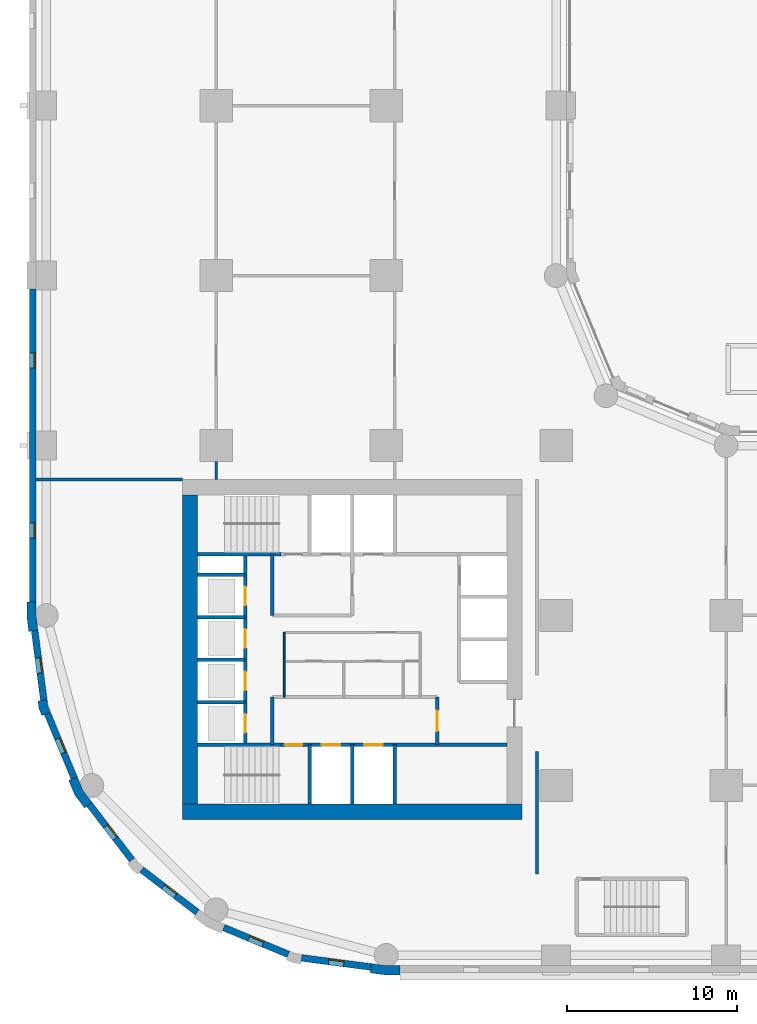
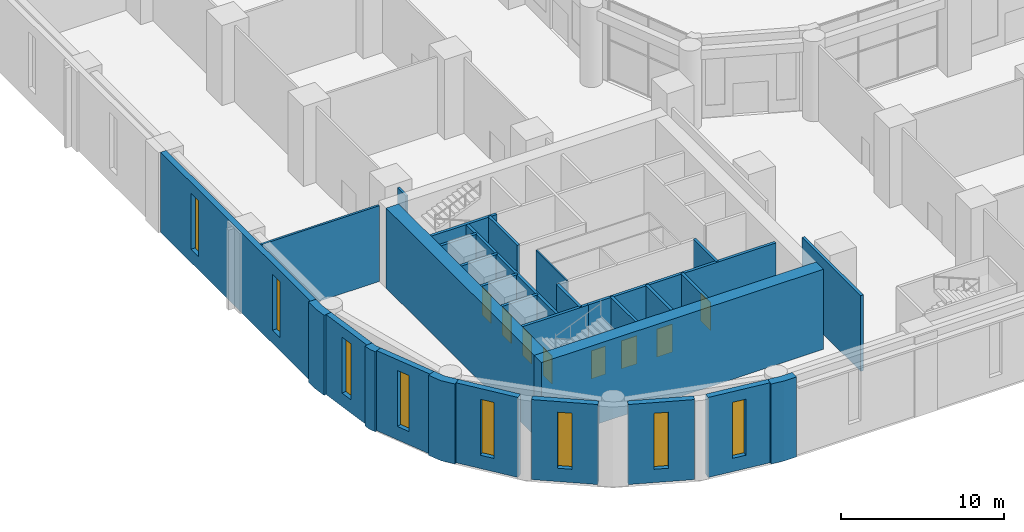
# One storey, part 13 of 28: 31 walls, 8 doors, 8 windows, 16 openings.
"""IFC4 building model written with IfcOpenShell, lengths in metres."""

import ifcopenshell
import ifcopenshell.guid

model = None  # the IFC model being written
_history = None  # IfcOwnerHistory: only IFC2X3 demands one
_inside = {}  # id of a spatial element -> (the spatial element, [elements in it])
_under = {}  # id of a project, library or spatial element -> (it, [spatial elements below it])
_declared = {}  # id of a project -> (the project, [libraries it declares])
_typed = {}  # id of a type object -> (the type object, [elements of that type])
_made_of = {}  # id of a material, layer set ... -> (it, [elements and type objects made of it])


def new_model(schema):
    """Start an empty IFC model of exactly this schema.

    Asked for "IFC4X3", IfcOpenShell would pick the latest addendum, in which some entities
    have other attributes; the version numbers below select the first issue.
    IFC2X3 requires an IfcOwnerHistory on every rooted entity: one is made here for all.
    """
    global model, _history
    if schema == "IFC4X3":
        model = ifcopenshell.file(schema_version=(4, 3, 0, 0))
    else:
        model = ifcopenshell.file(schema=schema)
    _inside.clear()
    _under.clear()
    _declared.clear()
    _typed.clear()
    _made_of.clear()
    _history = None
    if model.schema == "IFC2X3":
        org = make("IfcOrganization", Name="unknown")
        user = make(
            "IfcPersonAndOrganization",
            ThePerson=make("IfcPerson", FamilyName="unknown"),
            TheOrganization=org,
        )
        app = make(
            "IfcApplication",
            ApplicationDeveloper=org,
            Version="unknown",
            ApplicationFullName="unknown",
            ApplicationIdentifier="unknown",
        )
        _history = make(
            "IfcOwnerHistory",
            OwningUser=user,
            OwningApplication=app,
            ChangeAction="ADDED",
            CreationDate=0,
        )
    return model


def make(cls, **values):
    """One entity of the class cls with the attributes given. An attribute that is None is left unset."""
    return model.create_entity(
        cls, **{name: value for name, value in values.items() if value is not None}
    )


def rooted(cls, **values):
    """An entity with a GlobalId (a new one), such as an element, a storey or a relation."""
    return make(cls, GlobalId=ifcopenshell.guid.new(), OwnerHistory=_history, **values)


def si_unit(unit_type, name, prefix=None):
    """IfcSIUnit, for example si_unit("LENGTHUNIT", "METRE", prefix="MILLI")."""
    return make("IfcSIUnit", UnitType=unit_type, Prefix=prefix, Name=name)


def assignment(units):
    """IfcUnitAssignment: the units of a project."""
    return None if units is None else make("IfcUnitAssignment", Units=units)


def point(xyz):
    """IfcCartesianPoint."""
    return None if xyz is None else make("IfcCartesianPoint", Coordinates=xyz)


def direction(xyz):
    """IfcDirection."""
    return None if xyz is None else make("IfcDirection", DirectionRatios=xyz)


def frame(location, z_axis=None, x_axis=None):
    """IfcAxis2Placement3D, a coordinate frame: its origin and axes. An axis left out is left unset."""
    return make(
        "IfcAxis2Placement3D",
        Location=point(location),
        Axis=direction(z_axis),
        RefDirection=direction(x_axis),
    )


def frame_2d(location, x_axis=None):
    """IfcAxis2Placement2D, a coordinate frame in the plane: its origin and x axis."""
    return make(
        "IfcAxis2Placement2D", Location=point(location), RefDirection=direction(x_axis)
    )


def origin():
    """The frame at (0, 0, 0) with its axes left unset."""
    return frame((0.0, 0.0, 0.0))


def place(relative_to, where):
    """IfcLocalPlacement: puts the frame where relative to a parent placement (None: the world)."""
    return make(
        "IfcLocalPlacement", PlacementRelTo=relative_to, RelativePlacement=where
    )


def context(
    kind, dimensions, precision=None, world=None, true_north=None, identifier=None
):
    """IfcGeometricRepresentationContext, for example the 3D "Model" context."""
    return make(
        "IfcGeometricRepresentationContext",
        ContextIdentifier=identifier,
        ContextType=kind,
        CoordinateSpaceDimension=dimensions,
        Precision=precision,
        WorldCoordinateSystem=world,
        TrueNorth=true_north,
    )


def subcontext(parent, identifier, kind, view, scale=None):
    """IfcGeometricRepresentationSubContext, for example "Body" below "Model"."""
    return make(
        "IfcGeometricRepresentationSubContext",
        ContextIdentifier=identifier,
        ContextType=kind,
        ParentContext=parent,
        TargetScale=scale,
        TargetView=view,
    )


def project(units=None, contexts=None):
    """IfcProject with its units and contexts."""
    return rooted(
        "IfcProject",
        Name="project",
        RepresentationContexts=contexts,
        UnitsInContext=assignment(units),
    )


def spatial(cls, under=None, at=None, **own):
    """A site, building, storey or space (cls), placed at a placement, below another one or the project."""
    s = rooted(cls, ObjectPlacement=at, **own)
    if under is not None:
        _under.setdefault(under.id(), (under, []))[1].append(s)
    return s


def polyline(points):
    """IfcPolyline through the points."""
    return make("IfcPolyline", Points=[point(p) for p in points])


def profile(cls, at=None, kind="AREA", **sizes):
    """A parametric profile (cls). Its sizes go by their IFC names, for example OverallWidth=200.0."""
    return make(cls, ProfileType=kind, Position=at, **sizes)


def rectangle(**sizes):
    """IfcRectangleProfileDef."""
    return profile("IfcRectangleProfileDef", **sizes)


def outline(outer, holes=None, kind="AREA"):
    """IfcArbitraryClosedProfileDef: a profile drawn as a closed curve; with holes, ...WithVoids."""
    if holes is None:
        return make("IfcArbitraryClosedProfileDef", ProfileType=kind, OuterCurve=outer)
    return make(
        "IfcArbitraryProfileDefWithVoids",
        ProfileType=kind,
        OuterCurve=outer,
        InnerCurves=holes,
    )


def extrude(swept, where, along, depth):
    """IfcExtrudedAreaSolid: the profile swept, set in the frame where, extruded along a direction by depth."""
    return make(
        "IfcExtrudedAreaSolid",
        SweptArea=swept,
        Position=where,
        ExtrudedDirection=direction(along),
        Depth=depth,
    )


def shape(context_of_items, identifier, shape_type, items):
    """IfcShapeRepresentation: the items that make up one representation, for example the "Body"."""
    return make(
        "IfcShapeRepresentation",
        ContextOfItems=context_of_items,
        RepresentationIdentifier=identifier,
        RepresentationType=shape_type,
        Items=items,
    )


def material(Name=None, Category=None):
    """IfcMaterial."""
    return make("IfcMaterial", Name=Name, Category=Category)


def layer(
    of_material, thickness, ventilated=None, Name=None, Category=None, Priority=None
):
    """IfcMaterialLayer: one layer of a wall or slab, of a material (None: an air gap)."""
    return make(
        "IfcMaterialLayer",
        Material=of_material,
        LayerThickness=thickness,
        IsVentilated=ventilated,
        Name=Name,
        Category=Category,
        Priority=Priority,
    )


def layer_set(layers, Name=None):
    """IfcMaterialLayerSet."""
    return make("IfcMaterialLayerSet", MaterialLayers=layers, LayerSetName=Name)


def made_of(thing, what):
    """Note that an element or type object is made of a material, layer set ...; save() writes the relation."""
    if what is not None:
        _made_of.setdefault(what.id(), (what, []))[1].append(thing)
    return thing


def type_object(cls, material=None, **own):
    """A type object (cls), such as IfcWallType, which elements share."""
    return made_of(rooted(cls, **own), material)


def element(
    cls,
    number,
    at=None,
    inside=None,
    cuts=None,
    type_object=None,
    material=None,
    context=None,
    identifier="Body",
    shape_type=None,
    held_by="IfcProductDefinitionShape",
    body=None,
    shapes=None,
    **own,
):
    """One element of the class cls, such as IfcWall. Its Tag is "e" and its number.

    at: its placement. inside: the storey or other place that contains it. cuts: it is an
    opening in that element (IfcRelVoidsElement). A single representation is given by context,
    identifier, shape_type and body (its items); several are given by shapes. held_by: the class
    of the entity that holds the representations. save() writes the other relations.
    """
    e = rooted(cls, Tag="e%d" % number, ObjectPlacement=at, **own)
    if body is not None:
        shapes = [shape(context, identifier, shape_type, body)]
    if shapes is not None:
        e.Representation = make(held_by, Representations=shapes)
    if inside is not None:
        _inside.setdefault(inside.id(), (inside, []))[1].append(e)
    if cuts is not None:
        rooted(
            "IfcRelVoidsElement", RelatingBuildingElement=cuts, RelatedOpeningElement=e
        )
    if type_object is not None:
        _typed.setdefault(type_object.id(), (type_object, []))[1].append(e)
    return made_of(e, material)


def fill(opening, filler):
    """IfcRelFillsElement: the door or window that sits in an opening."""
    return rooted(
        "IfcRelFillsElement",
        RelatingOpeningElement=opening,
        RelatedBuildingElement=filler,
    )


def aggregate(whole, parts):
    """IfcRelAggregates: a whole, such as a stair, and the parts it consists of."""
    return rooted("IfcRelAggregates", RelatingObject=whole, RelatedObjects=parts)


def save(model, path):
    """Write the relations noted so far, then the file.

    IfcRelAggregates (storeys below a building ...), IfcRelContainedInSpatialStructure (elements
    in a storey), IfcRelDefinesByType, IfcRelAssociatesMaterial and IfcRelDeclares: one each for
    every whole, place, type object, material and project.
    """
    for whole, parts in _under.values():
        aggregate(whole, parts)
    for where, things in _inside.values():
        rooted(
            "IfcRelContainedInSpatialStructure",
            RelatedElements=things,
            RelatingStructure=where,
        )
    for kind, things in _typed.values():
        rooted("IfcRelDefinesByType", RelatedObjects=things, RelatingType=kind)
    for what, things in _made_of.values():
        rooted("IfcRelAssociatesMaterial", RelatedObjects=things, RelatingMaterial=what)
    for by, libraries in _declared.values():
        rooted("IfcRelDeclares", RelatingContext=by, RelatedDefinitions=libraries)
    model.write(path)


model = new_model("IFC4")

# Units and contexts
model_context = context("Model", 3, precision=1e-05, world=origin(), true_north=direction((0.0, 1.0)))
body_context = subcontext(model_context, "Body", "Model", "MODEL_VIEW")
ifc_project = project(units=[si_unit("LENGTHUNIT", "METRE"), si_unit("AREAUNIT", "SQUARE_METRE"), si_unit("VOLUMEUNIT", "CUBIC_METRE"), si_unit("PLANEANGLEUNIT", "RADIAN"), si_unit("MASSUNIT", "GRAM", prefix="KILO")], contexts=[model_context])

# Site, building, storey
site_placement = place(None, origin())
site = spatial("IfcSite", under=ifc_project, at=site_placement, CompositionType="ELEMENT")
building_placement = place(site_placement, origin())
building = spatial("IfcBuilding", under=site, at=building_placement, Name="Qaws Garden Tower", CompositionType="ELEMENT")
storey_placement = place(building_placement, frame((0.0, 0.0, 6.0)))
storey = spatial("IfcBuildingStorey", under=building, at=storey_placement, Name="L01", CompositionType="ELEMENT", Elevation=6.0)

# Walls
ifc_material_1 = material(Name="Plasterboard")
ifc_layer_1 = layer(ifc_material_1, 0.10009765625)
ifc_layer_set_1 = layer_set([ifc_layer_1], Name="Plasterboard")
wall_type_1 = type_object("IfcWallType", Name="Core partition 100", PredefinedType="PARTITIONING", material=ifc_layer_set_1)
wall_1_placement = place(storey_placement, frame((14.0, 15.199951171875, 0.0), z_axis=(0.0, 0.0, 1.0), x_axis=(0.0, 1.0, 0.0)))
element("IfcWall", 1, at=wall_1_placement, inside=storey, type_object=wall_type_1, Name="Core partition", PredefinedType="PARTITIONING", context=body_context, shape_type="SweptSolid", body=[
    extrude(rectangle(XDim=3.800048828125, YDim=0.10009765625, at=frame_2d((1.89990234375, 0.0))), origin(), (0.0, 0.0, 1.0), 5.679931640625),
])
ifc_material_2 = material(Name="Concrete C80", Category="concrete")
ifc_layer_2 = layer(ifc_material_2, 0.199951171875)
ifc_layer_set_2 = layer_set([ifc_layer_2], Name="Concrete C80")
wall_type_2 = type_object("IfcWallType", Name="Core shaft wall 200 C80", PredefinedType="SHEAR", material=ifc_layer_set_2)
wall_2_placement = place(storey_placement, frame((8.89990234375, 12.39990234375, 0.0), z_axis=(0.0, 0.0, 1.0), x_axis=(1.0, 0.0, 0.0)))
element("IfcWall", 2, at=wall_2_placement, inside=storey, type_object=wall_type_2, Name="Shaft wall", PredefinedType="SHEAR", context=body_context, shape_type="SweptSolid", body=[
    extrude(rectangle(XDim=4.900146484375, YDim=0.199951171875, at=frame_2d((2.4501953125, 0.0))), origin(), (0.0, 0.0, 1.0), 5.679931640625),
])

# Wall, openings, doors
wall_3_placement = place(storey_placement, frame((13.800048828125, 12.39990234375, 0.0), z_axis=(0.0, 0.0, 1.0), x_axis=(1.0, 0.0, 0.0)))
wall_3 = element("IfcWall", 3, at=wall_3_placement, inside=storey, type_object=wall_type_2, Name="Shaft wall", PredefinedType="SHEAR", context=body_context, shape_type="SweptSolid", body=[
    extrude(rectangle(XDim=13.300048828125, YDim=0.199951171875, at=frame_2d((6.64990234375, 0.0))), origin(), (0.0, 0.0, 1.0), 5.679931640625),
])
opening_1_placement = place(wall_3_placement, frame((2.39990234375, 0.0, 0.0)))
opening_1 = element("IfcOpeningElement", 4, at=opening_1_placement, cuts=wall_3, Name="Opening LD06", PredefinedType="OPENING", context=body_context, shape_type="SweptSolid", body=[
    extrude(rectangle(XDim=1.10009765625, YDim=2.10009765625, at=frame_2d((0.550048828125, 1.050048828125))), frame((0.0, 0.10986328125, 0.0), z_axis=(0.0, -1.0, 0.0), x_axis=(1.0, 0.0, 0.0)), (0.0, 0.0, 1.0), 0.219970703125),
])
opening_2_placement = place(wall_3_placement, frame((4.89990234375, 0.0, 0.0)))
opening_2 = element("IfcOpeningElement", 5, at=opening_2_placement, cuts=wall_3, Name="Opening LD07", PredefinedType="OPENING", context=body_context, shape_type="SweptSolid", body=[
    extrude(rectangle(XDim=1.10009765625, YDim=2.10009765625, at=frame_2d((0.550048828125, 1.050048828125))), frame((0.0, 0.10986328125, 0.0), z_axis=(0.0, -1.0, 0.0), x_axis=(1.0, 0.0, 0.0)), (0.0, 0.0, 1.0), 0.219970703125),
])
opening_3_placement = place(wall_3_placement, frame((0.25, 0.0, 0.0)))
opening_3 = element("IfcOpeningElement", 6, at=opening_3_placement, cuts=wall_3, Name="Opening SD10", PredefinedType="OPENING", context=body_context, shape_type="SweptSolid", body=[
    extrude(rectangle(XDim=1.0, YDim=2.10009765625, at=frame_2d((0.5, 1.050048828125))), frame((0.0, 0.10986328125, 0.0), z_axis=(0.0, -1.0, 0.0), x_axis=(1.0, 0.0, 0.0)), (0.0, 0.0, 1.0), 0.219970703125),
])
ifc_material_3 = material(Name="Steel S235", Category="steel")
door_type_1 = type_object("IfcDoorType", Name="Landing door 1100x2100", OperationType="DOUBLE_DOOR_SLIDING", PredefinedType="DOOR", material=ifc_material_3)
door_1_placement = place(opening_1_placement, origin())
door_1 = element("IfcDoor", 7, at=door_1_placement, inside=storey, type_object=door_type_1, Name="Lift FF1 landing door", OperationType="DOUBLE_DOOR_SLIDING", OverallHeight=2.10009765625, OverallWidth=1.10009765625, PredefinedType="DOOR", context=body_context, shape_type="SweptSolid", body=[
    extrude(rectangle(XDim=1.10009765625, YDim=2.10009765625, at=frame_2d((0.550048828125, 1.050048828125))), frame((0.0, 0.02490234375, 0.0), z_axis=(0.0, -1.0, 0.0), x_axis=(1.0, 0.0, 0.0)), (0.0, 0.0, 1.0), 0.050048828125),
])
fill(opening_1, door_1)
door_2_placement = place(opening_2_placement, origin())
door_2 = element("IfcDoor", 8, at=door_2_placement, inside=storey, type_object=door_type_1, Name="Lift FF2 landing door", OperationType="DOUBLE_DOOR_SLIDING", OverallHeight=2.10009765625, OverallWidth=1.10009765625, PredefinedType="DOOR", context=body_context, shape_type="SweptSolid", body=[
    extrude(rectangle(XDim=1.10009765625, YDim=2.10009765625, at=frame_2d((0.550048828125, 1.050048828125))), frame((0.0, 0.02490234375, 0.0), z_axis=(0.0, -1.0, 0.0), x_axis=(1.0, 0.0, 0.0)), (0.0, 0.0, 1.0), 0.050048828125),
])
fill(opening_2, door_2)
ifc_material_4 = material(Name="Steel S235", Category="steel")
door_type_2 = type_object("IfcDoorType", Name="Stair door 1000x2100", OperationType="SINGLE_SWING_RIGHT", PredefinedType="DOOR", material=ifc_material_4)
door_3_placement = place(opening_3_placement, frame((1.0, 0.0, 0.0), z_axis=(0.0, 0.0, 1.0), x_axis=(-1.0, 0.0, 0.0)))
door_3 = element("IfcDoor", 9, at=door_3_placement, inside=storey, type_object=door_type_2, Name="Stair 1 door", OperationType="SINGLE_SWING_LEFT", OverallHeight=2.10009765625, OverallWidth=1.0, PredefinedType="DOOR", context=body_context, shape_type="SweptSolid", body=[
    extrude(rectangle(XDim=1.0, YDim=2.10009765625, at=frame_2d((0.5, 1.050048828125))), frame((0.0, 0.02490234375, 0.0), z_axis=(0.0, -1.0, 0.0), x_axis=(1.0, 0.0, 0.0)), (0.0, 0.0, 1.0), 0.050048828125),
])
fill(opening_3, door_3)

# Walls
for number, where, z_axis, x_axis, name in (
    (10, (8.89990234375, 14.89990234375, 0.0), (0.0, 0.0, 1.0), (1.0, 0.0, 0.0), "Shaft wall"),
    (11, (8.89990234375, 17.39990234375, 0.0), (0.0, 0.0, 1.0), (1.0, 0.0, 0.0), "Shaft wall"),
    (12, (8.89990234375, 19.89990234375, 0.0), (0.0, 0.0, 1.0), (1.0, 0.0, 0.0), "Shaft wall"),
    (13, (8.89990234375, 22.39990234375, 0.0), (0.0, 0.0, 1.0), (1.0, 0.0, 0.0), "Shaft wall"),
):
    element("IfcWall", number, at=place(storey_placement, frame(where, z_axis=z_axis, x_axis=x_axis)), inside=storey, type_object=wall_type_2, Name=name, PredefinedType="SHEAR", context=body_context, shape_type="SweptSolid", body=[
        extrude(rectangle(XDim=2.800048828125, YDim=0.199951171875, at=frame_2d((1.39990234375, 0.0))), origin(), (0.0, 0.0, 1.0), 5.679931640625),
    ])
wall_4_placement = place(storey_placement, frame((8.89990234375, 23.60009765625, 0.0), z_axis=(0.0, 0.0, 1.0), x_axis=(1.0, 0.0, 0.0)))
element("IfcWall", 14, at=wall_4_placement, inside=storey, type_object=wall_type_2, Name="Shaft wall", PredefinedType="SHEAR", context=body_context, shape_type="SweptSolid", body=[
    extrude(rectangle(XDim=4.900146484375, YDim=0.199951171875, at=frame_2d((2.4501953125, 0.0))), origin(), (0.0, 0.0, 1.0), 5.679931640625),
])

# Wall, openings, doors
wall_5_placement = place(storey_placement, frame((11.699951171875, 12.39990234375, 0.0), z_axis=(0.0, 0.0, 1.0), x_axis=(0.0, 1.0, 0.0)))
wall_5 = element("IfcWall", 15, at=wall_5_placement, inside=storey, type_object=wall_type_2, Name="Shaft wall", PredefinedType="SHEAR", context=body_context, shape_type="SweptSolid", body=[
    extrude(rectangle(XDim=11.2001953125, YDim=0.199951171875, at=frame_2d((5.60009765625, 0.0))), origin(), (0.0, 0.0, 1.0), 5.679931640625),
])
opening_4_placement = place(wall_5_placement, frame((0.699951171875, 0.0, 0.0)))
opening_4 = element("IfcOpeningElement", 16, at=opening_4_placement, cuts=wall_5, Name="Opening LD01", PredefinedType="OPENING", context=body_context, shape_type="SweptSolid", body=[
    extrude(rectangle(XDim=1.10009765625, YDim=2.10009765625, at=frame_2d((0.550048828125, 1.050048828125))), frame((0.0, 0.10986328125, 0.0), z_axis=(0.0, -1.0, 0.0), x_axis=(1.0, 0.0, 0.0)), (0.0, 0.0, 1.0), 0.219970703125),
])
opening_5_placement = place(wall_5_placement, frame((3.199951171875, 0.0, 0.0)))
opening_5 = element("IfcOpeningElement", 17, at=opening_5_placement, cuts=wall_5, Name="Opening LD02", PredefinedType="OPENING", context=body_context, shape_type="SweptSolid", body=[
    extrude(rectangle(XDim=1.10009765625, YDim=2.10009765625, at=frame_2d((0.550048828125, 1.050048828125))), frame((0.0, 0.10986328125, 0.0), z_axis=(0.0, -1.0, 0.0), x_axis=(1.0, 0.0, 0.0)), (0.0, 0.0, 1.0), 0.219970703125),
])
opening_6_placement = place(wall_5_placement, frame((5.699951171875, 0.0, 0.0)))
opening_6 = element("IfcOpeningElement", 18, at=opening_6_placement, cuts=wall_5, Name="Opening LD03", PredefinedType="OPENING", context=body_context, shape_type="SweptSolid", body=[
    extrude(rectangle(XDim=1.10009765625, YDim=2.10009765625, at=frame_2d((0.550048828125, 1.050048828125))), frame((0.0, 0.10986328125, 0.0), z_axis=(0.0, -1.0, 0.0), x_axis=(1.0, 0.0, 0.0)), (0.0, 0.0, 1.0), 0.219970703125),
])
opening_7_placement = place(wall_5_placement, frame((8.199951171875, 0.0, 0.0)))
opening_7 = element("IfcOpeningElement", 19, at=opening_7_placement, cuts=wall_5, Name="Opening LD04", PredefinedType="OPENING", context=body_context, shape_type="SweptSolid", body=[
    extrude(rectangle(XDim=1.10009765625, YDim=2.10009765625, at=frame_2d((0.550048828125, 1.050048828125))), frame((0.0, 0.10986328125, 0.0), z_axis=(0.0, -1.0, 0.0), x_axis=(1.0, 0.0, 0.0)), (0.0, 0.0, 1.0), 0.219970703125),
])
door_4_placement = place(opening_4_placement, origin())
door_4 = element("IfcDoor", 20, at=door_4_placement, inside=storey, type_object=door_type_1, Name="Lift W1 landing door", OperationType="DOUBLE_DOOR_SLIDING", OverallHeight=2.10009765625, OverallWidth=1.10009765625, PredefinedType="DOOR", context=body_context, shape_type="SweptSolid", body=[
    extrude(rectangle(XDim=1.10009765625, YDim=2.10009765625, at=frame_2d((0.550048828125, 1.050048828125))), frame((0.0, 0.02490234375, 0.0), z_axis=(0.0, -1.0, 0.0), x_axis=(1.0, 0.0, 0.0)), (0.0, 0.0, 1.0), 0.050048828125),
])
fill(opening_4, door_4)
door_5_placement = place(opening_5_placement, origin())
door_5 = element("IfcDoor", 21, at=door_5_placement, inside=storey, type_object=door_type_1, Name="Lift W2 landing door", OperationType="DOUBLE_DOOR_SLIDING", OverallHeight=2.10009765625, OverallWidth=1.10009765625, PredefinedType="DOOR", context=body_context, shape_type="SweptSolid", body=[
    extrude(rectangle(XDim=1.10009765625, YDim=2.10009765625, at=frame_2d((0.550048828125, 1.050048828125))), frame((0.0, 0.02490234375, 0.0), z_axis=(0.0, -1.0, 0.0), x_axis=(1.0, 0.0, 0.0)), (0.0, 0.0, 1.0), 0.050048828125),
])
fill(opening_5, door_5)
door_6_placement = place(opening_6_placement, origin())
door_6 = element("IfcDoor", 22, at=door_6_placement, inside=storey, type_object=door_type_1, Name="Lift W3 landing door", OperationType="DOUBLE_DOOR_SLIDING", OverallHeight=2.10009765625, OverallWidth=1.10009765625, PredefinedType="DOOR", context=body_context, shape_type="SweptSolid", body=[
    extrude(rectangle(XDim=1.10009765625, YDim=2.10009765625, at=frame_2d((0.550048828125, 1.050048828125))), frame((0.0, 0.02490234375, 0.0), z_axis=(0.0, -1.0, 0.0), x_axis=(1.0, 0.0, 0.0)), (0.0, 0.0, 1.0), 0.050048828125),
])
fill(opening_6, door_6)
door_7_placement = place(opening_7_placement, origin())
door_7 = element("IfcDoor", 23, at=door_7_placement, inside=storey, type_object=door_type_1, Name="Lift W4 landing door", OperationType="DOUBLE_DOOR_SLIDING", OverallHeight=2.10009765625, OverallWidth=1.10009765625, PredefinedType="DOOR", context=body_context, shape_type="SweptSolid", body=[
    extrude(rectangle(XDim=1.10009765625, YDim=2.10009765625, at=frame_2d((0.550048828125, 1.050048828125))), frame((0.0, 0.02490234375, 0.0), z_axis=(0.0, -1.0, 0.0), x_axis=(1.0, 0.0, 0.0)), (0.0, 0.0, 1.0), 0.050048828125),
])
fill(opening_7, door_7)

# Walls
wall_6_placement = place(storey_placement, frame((13.300048828125, 12.39990234375, 0.0), z_axis=(0.0, 0.0, 1.0), x_axis=(0.0, 1.0, 0.0)))
element("IfcWall", 24, at=wall_6_placement, inside=storey, type_object=wall_type_2, Name="Shaft wall", PredefinedType="SHEAR", context=body_context, shape_type="SweptSolid", body=[
    extrude(rectangle(XDim=2.800048828125, YDim=0.199951171875, at=frame_2d((1.39990234375, 0.0))), origin(), (0.0, 0.0, 1.0), 5.679931640625),
])
wall_7_placement = place(storey_placement, frame((13.300048828125, 20.0, 0.0), z_axis=(0.0, 0.0, 1.0), x_axis=(0.0, 1.0, 0.0)))
element("IfcWall", 25, at=wall_7_placement, inside=storey, type_object=wall_type_2, Name="Shaft wall", PredefinedType="SHEAR", context=body_context, shape_type="SweptSolid", body=[
    extrude(rectangle(XDim=3.60009765625, YDim=0.199951171875, at=frame_2d((1.800048828125, 0.0))), origin(), (0.0, 0.0, 1.0), 5.679931640625),
])
for number, where, z_axis, x_axis, name in (
    (26, (15.5, 8.89990234375, 0.0), (0.0, 0.0, 1.0), (0.0, 1.0, 0.0), "Shaft wall"),
    (27, (18.0, 8.89990234375, 0.0), (0.0, 0.0, 1.0), (0.0, 1.0, 0.0), "Shaft wall"),
    (28, (20.5, 8.89990234375, 0.0), (0.0, 0.0, 1.0), (0.0, 1.0, 0.0), "Shaft wall"),
):
    element("IfcWall", number, at=place(storey_placement, frame(where, z_axis=z_axis, x_axis=x_axis)), inside=storey, type_object=wall_type_2, Name=name, PredefinedType="SHEAR", context=body_context, shape_type="SweptSolid", body=[
        extrude(rectangle(XDim=3.5, YDim=0.199951171875, at=frame_2d((1.75, 0.0))), origin(), (0.0, 0.0, 1.0), 5.679931640625),
    ])

# Wall, opening, door
wall_8_placement = place(storey_placement, frame((23.0, 12.39990234375, 0.0), z_axis=(0.0, 0.0, 1.0), x_axis=(0.0, 1.0, 0.0)))
wall_8 = element("IfcWall", 29, at=wall_8_placement, inside=storey, type_object=wall_type_2, Name="Shaft wall", PredefinedType="SHEAR", context=body_context, shape_type="SweptSolid", body=[
    extrude(rectangle(XDim=2.800048828125, YDim=0.199951171875, at=frame_2d((1.39990234375, 0.0))), origin(), (0.0, 0.0, 1.0), 5.679931640625),
])
opening_8_placement = place(wall_8_placement, frame((0.800048828125, 0.0, 0.0)))
opening_8 = element("IfcOpeningElement", 30, at=opening_8_placement, cuts=wall_8, Name="Opening FD15", PredefinedType="OPENING", context=body_context, shape_type="SweptSolid", body=[
    extrude(rectangle(XDim=1.199951171875, YDim=2.10009765625, at=frame_2d((0.60009765625, 1.050048828125))), frame((0.0, 0.10986328125, 0.0), z_axis=(0.0, -1.0, 0.0), x_axis=(1.0, 0.0, 0.0)), (0.0, 0.0, 1.0), 0.219970703125),
])
ifc_material_5 = material(Name="Steel S235", Category="steel")
door_type_3 = type_object("IfcDoorType", Name="Lobby door 1200x2100", OperationType="DOUBLE_DOOR_SINGLE_SWING", PredefinedType="DOOR", material=ifc_material_5)
door_8_placement = place(opening_8_placement, origin())
door_8 = element("IfcDoor", 31, at=door_8_placement, inside=storey, type_object=door_type_3, Name="Fire-fighting lobby door", OperationType="DOUBLE_DOOR_SINGLE_SWING", OverallHeight=2.10009765625, OverallWidth=1.199951171875, PredefinedType="DOOR", context=body_context, shape_type="SweptSolid", body=[
    extrude(rectangle(XDim=1.199951171875, YDim=2.10009765625, at=frame_2d((0.60009765625, 1.050048828125))), frame((0.0, 0.02490234375, 0.0), z_axis=(0.0, -1.0, 0.0), x_axis=(1.0, 0.0, 0.0)), (0.0, 0.0, 1.0), 0.050048828125),
])
fill(opening_8, door_8)

# Walls
ifc_material_6 = material(Name="Concrete C80", Category="concrete")
ifc_layer_3 = layer(ifc_material_6, 0.89990234375)
ifc_layer_set_3 = layer_set([ifc_layer_3], Name="Concrete C80")
wall_type_3 = type_object("IfcWallType", Name="Core wall 900 C80", PredefinedType="SHEAR", material=ifc_layer_set_3)
wall_9_placement = place(storey_placement, frame((8.0, 8.449951171875, 0.0), z_axis=(0.0, 0.0, 1.0), x_axis=(1.0, 0.0, 0.0)))
element("IfcWall", 32, at=wall_9_placement, inside=storey, type_object=wall_type_3, Name="Core wall L01 south", PredefinedType="SHEAR", context=body_context, shape_type="SweptSolid", body=[
    extrude(rectangle(XDim=20.0, YDim=0.89990234375, at=frame_2d((10.0, 0.0))), origin(), (0.0, 0.0, 1.0), 6.0),
])
wall_10_placement = place(storey_placement, frame((8.449951171875, 27.10009765625, 0.0), z_axis=(0.0, 0.0, 1.0), x_axis=(0.0, -1.0, 0.0)))
element("IfcWall", 33, at=wall_10_placement, inside=storey, type_object=wall_type_3, Name="Core wall L01 west", PredefinedType="SHEAR", context=body_context, shape_type="SweptSolid", body=[
    extrude(rectangle(XDim=18.2001953125, YDim=0.89990234375, at=frame_2d((9.10009765625, 0.0))), origin(), (0.0, 0.0, 1.0), 6.0),
])
ifc_material_7 = material(Name="Gypsum board on steel S235 stud", Category="steel")
ifc_layer_4 = layer(ifc_material_7, 0.14990234375)
ifc_layer_set_4 = layer_set([ifc_layer_4], Name="Gypsum board on steel S235 stud")
wall_type_4 = type_object("IfcWallType", Name="Partition 150", PredefinedType="PARTITIONING", material=ifc_layer_set_4)
wall_11_placement = place(storey_placement, frame((10.0, 28.0, 0.0), z_axis=(0.0, 0.0, 1.0), x_axis=(0.0, 1.0, 0.0)))
element("IfcWall", 34, at=wall_11_placement, inside=storey, type_object=wall_type_4, Name="Conference wall", PredefinedType="PARTITIONING", context=body_context, shape_type="SweptSolid", body=[
    extrude(rectangle(XDim=1.050048828125, YDim=0.14990234375, at=frame_2d((0.52490234375, 0.0))), origin(), (0.0, 0.0, 1.0), 5.679931640625),
])
wall_12_placement = place(storey_placement, frame((-0.60009765625, 28.0, 0.0), z_axis=(0.0, 0.0, 1.0), x_axis=(1.0, 0.0, 0.0)))
element("IfcWall", 35, at=wall_12_placement, inside=storey, type_object=wall_type_4, Name="Conference south wall", PredefinedType="PARTITIONING", context=body_context, shape_type="SweptSolid", body=[
    extrude(rectangle(XDim=8.60009765625, YDim=0.14990234375, at=frame_2d((4.300048828125, 0.0))), origin(), (0.0, 0.0, 1.0), 5.679931640625),
])
ifc_material_8 = material(Name="Blockwork", Category="masonry")
ifc_layer_5 = layer(ifc_material_8, 0.199951171875)
ifc_layer_set_5 = layer_set([ifc_layer_5], Name="Blockwork")
wall_type_5 = type_object("IfcWallType", Name="Plant room wall 200", PredefinedType="PARTITIONING", material=ifc_layer_set_5)
wall_13_placement = place(storey_placement, frame((28.875, 4.800048828125, 0.0), z_axis=(0.0, 0.0, 1.0), x_axis=(0.0, 1.0, 0.0)))
element("IfcWall", 36, at=wall_13_placement, inside=storey, type_object=wall_type_5, Name="Gallery west wall", PredefinedType="PARTITIONING", context=body_context, shape_type="SweptSolid", body=[
    extrude(rectangle(XDim=7.199951171875, YDim=0.199951171875, at=frame_2d((3.60009765625, 0.0))), origin(), (0.0, 0.0, 1.0), 5.679931640625),
])

# Wall, openings, windows
ifc_material_9 = material(Name="Limestone ashlar masonry", Category="masonry")
ifc_layer_6 = layer(ifc_material_9, 0.39990234375)
ifc_layer_set_6 = layer_set([ifc_layer_6], Name="Limestone ashlar masonry")
wall_type_6 = type_object("IfcWallType", Name="Stone infill wall 400", PredefinedType="SOLIDWALL", material=ifc_layer_set_6)
wall_14_placement = place(storey_placement, frame((-0.800048828125, 39.199951171875, 0.0), z_axis=(0.0, 0.0, 1.0), x_axis=(0.0, -1.0, 0.0)))
wall_14 = element("IfcWall", 37, at=wall_14_placement, inside=storey, type_object=wall_type_6, Name="E-L01-infill-25", PredefinedType="SOLIDWALL", context=body_context, shape_type="SweptSolid", body=[
    extrude(rectangle(XDim=18.39990234375, YDim=0.39990234375, at=frame_2d((9.199951171875, 0.0))), origin(), (0.0, 0.0, 1.0), 6.0),
])
opening_9_placement = place(wall_14_placement, frame((3.75, 0.0, 1.0)))
opening_9 = element("IfcOpeningElement", 38, at=opening_9_placement, cuts=wall_14, Name="Opening W11", PredefinedType="OPENING", context=body_context, shape_type="SweptSolid", body=[
    extrude(rectangle(XDim=0.89990234375, YDim=4.199951171875, at=frame_2d((0.449951171875, 2.10009765625))), frame((0.0, 0.2099609375, 0.0), z_axis=(0.0, -1.0, 0.0), x_axis=(1.0, 0.0, 0.0)), (0.0, 0.0, 1.0), 0.419921875),
])
opening_10_placement = place(wall_14_placement, frame((13.75, 0.0, 1.0)))
opening_10 = element("IfcOpeningElement", 39, at=opening_10_placement, cuts=wall_14, Name="Opening W11", PredefinedType="OPENING", context=body_context, shape_type="SweptSolid", body=[
    extrude(rectangle(XDim=0.89990234375, YDim=4.199951171875, at=frame_2d((0.449951171875, 2.10009765625))), frame((0.0, 0.2099609375, 0.0), z_axis=(0.0, -1.0, 0.0), x_axis=(1.0, 0.0, 0.0)), (0.0, 0.0, 1.0), 0.419921875),
])
ifc_material_10 = material(Name="Aluminium framed window, clear glazing", Category="aluminium")
window_type = type_object("IfcWindowType", Name="Slit window 900 x 4200", PartitioningType="SINGLE_PANEL", PredefinedType="WINDOW", material=ifc_material_10)
window_1_placement = place(opening_9_placement, origin())
window_1 = element("IfcWindow", 40, at=window_1_placement, inside=storey, type_object=window_type, Name="E-L01-window-25-0", OverallHeight=4.199951171875, OverallWidth=0.89990234375, PartitioningType="SINGLE_PANEL", PredefinedType="WINDOW", context=body_context, shape_type="SweptSolid", body=[
    extrude(rectangle(XDim=0.89990234375, YDim=4.199951171875, at=frame_2d((0.449951171875, 2.10009765625))), frame((0.0, 0.159912109375, 0.0), z_axis=(0.0, -1.0, 0.0), x_axis=(1.0, 0.0, 0.0)), (0.0, 0.0, 1.0), 0.06005859375),
])
fill(opening_9, window_1)
window_2_placement = place(opening_10_placement, origin())
window_2 = element("IfcWindow", 41, at=window_2_placement, inside=storey, type_object=window_type, Name="E-L01-window-26-0", OverallHeight=4.199951171875, OverallWidth=0.89990234375, PartitioningType="SINGLE_PANEL", PredefinedType="WINDOW", context=body_context, shape_type="SweptSolid", body=[
    extrude(rectangle(XDim=0.89990234375, YDim=4.199951171875, at=frame_2d((0.449951171875, 2.10009765625))), frame((0.0, 0.159912109375, 0.0), z_axis=(0.0, -1.0, 0.0), x_axis=(1.0, 0.0, 0.0)), (0.0, 0.0, 1.0), 0.06005859375),
])
fill(opening_10, window_2)

# Wall, opening, window
wall_15_placement = place(storey_placement, frame((-0.688720703125, 19.102294921875, 0.0), z_axis=(0.0, 0.0, 1.0), x_axis=(0.130514280502, -0.991446429508, 0.0)))
wall_15 = element("IfcWall", 42, at=wall_15_placement, inside=storey, type_object=wall_type_6, Name="E-L01-infill-27", PredefinedType="SOLIDWALL", context=body_context, shape_type="SweptSolid", body=[
    extrude(rectangle(XDim=4.120849609375, YDim=0.39990234375, at=frame_2d((2.060546875, 0.0))), origin(), (0.0, 0.0, 1.0), 6.0),
])
opening_11_placement = place(wall_15_placement, frame((1.610595703125, 0.0, 1.0)))
opening_11 = element("IfcOpeningElement", 43, at=opening_11_placement, cuts=wall_15, Name="Opening W11", PredefinedType="OPENING", context=body_context, shape_type="SweptSolid", body=[
    extrude(rectangle(XDim=0.89990234375, YDim=4.199951171875, at=frame_2d((0.449951171875, 2.10009765625))), frame((0.0, 0.2099609375, 0.0), z_axis=(0.0, -1.0, 0.0), x_axis=(1.0, 0.0, 0.0)), (0.0, 0.0, 1.0), 0.419921875),
])
window_3_placement = place(opening_11_placement, origin())
window_3 = element("IfcWindow", 44, at=window_3_placement, inside=storey, type_object=window_type, Name="E-L01-window-27-0", OverallHeight=4.199951171875, OverallWidth=0.89990234375, PartitioningType="SINGLE_PANEL", PredefinedType="WINDOW", context=body_context, shape_type="SweptSolid", body=[
    extrude(rectangle(XDim=0.89990234375, YDim=4.199951171875, at=frame_2d((0.449951171875, 2.10009765625))), frame((0.0, 0.159912109375, 0.0), z_axis=(0.0, -1.0, 0.0), x_axis=(1.0, 0.0, 0.0)), (0.0, 0.0, 1.0), 0.06005859375),
])
fill(opening_11, window_3)

wall_16_placement = place(storey_placement, frame((0.05712890625, 14.240234375, 0.0), z_axis=(0.0, 0.0, 1.0), x_axis=(0.382721546029, -0.923863744394, 0.0)))
wall_16 = element("IfcWall", 45, at=wall_16_placement, inside=storey, type_object=wall_type_6, Name="E-L01-infill-28", PredefinedType="SOLIDWALL", context=body_context, shape_type="SweptSolid", body=[
    extrude(rectangle(XDim=4.120849609375, YDim=0.39990234375, at=frame_2d((2.060546875, 0.0))), origin(), (0.0, 0.0, 1.0), 6.0),
])
opening_12_placement = place(wall_16_placement, frame((1.610595703125, 0.0, 1.0)))
opening_12 = element("IfcOpeningElement", 46, at=opening_12_placement, cuts=wall_16, Name="Opening W11", PredefinedType="OPENING", context=body_context, shape_type="SweptSolid", body=[
    extrude(rectangle(XDim=0.89990234375, YDim=4.199951171875, at=frame_2d((0.449951171875, 2.10009765625))), frame((0.0, 0.2099609375, 0.0), z_axis=(0.0, -1.0, 0.0), x_axis=(1.0, 0.0, 0.0)), (0.0, 0.0, 1.0), 0.419921875),
])
window_4_placement = place(opening_12_placement, origin())
window_4 = element("IfcWindow", 47, at=window_4_placement, inside=storey, type_object=window_type, Name="E-L01-window-28-0", OverallHeight=4.199951171875, OverallWidth=0.89990234375, PartitioningType="SINGLE_PANEL", PredefinedType="WINDOW", context=body_context, shape_type="SweptSolid", body=[
    extrude(rectangle(XDim=0.89990234375, YDim=4.199951171875, at=frame_2d((0.449951171875, 2.10009765625))), frame((0.0, 0.159912109375, 0.0), z_axis=(0.0, -1.0, 0.0), x_axis=(1.0, 0.0, 0.0)), (0.0, 0.0, 1.0), 0.06005859375),
])
fill(opening_12, window_4)

wall_17_placement = place(storey_placement, frame((2.53173828125, 8.87841796875, 0.0), z_axis=(0.0, 0.0, 1.0), x_axis=(0.608759824817, -0.793354571229, 0.0)))
wall_17 = element("IfcWall", 48, at=wall_17_placement, inside=storey, type_object=wall_type_6, Name="E-L01-infill-29", PredefinedType="SOLIDWALL", context=body_context, shape_type="SweptSolid", body=[
    extrude(rectangle(XDim=4.12109375, YDim=0.39990234375, at=frame_2d((2.060546875, 0.0))), origin(), (0.0, 0.0, 1.0), 6.0),
])
opening_13_placement = place(wall_17_placement, frame((1.610595703125, 0.0, 1.0)))
opening_13 = element("IfcOpeningElement", 49, at=opening_13_placement, cuts=wall_17, Name="Opening W11", PredefinedType="OPENING", context=body_context, shape_type="SweptSolid", body=[
    extrude(rectangle(XDim=0.89990234375, YDim=4.199951171875, at=frame_2d((0.449951171875, 2.10009765625))), frame((0.0, 0.2099609375, 0.0), z_axis=(0.0, -1.0, 0.0), x_axis=(1.0, 0.0, 0.0)), (0.0, 0.0, 1.0), 0.419921875),
])
window_5_placement = place(opening_13_placement, origin())
window_5 = element("IfcWindow", 50, at=window_5_placement, inside=storey, type_object=window_type, Name="E-L01-window-29-0", OverallHeight=4.199951171875, OverallWidth=0.89990234375, PartitioningType="SINGLE_PANEL", PredefinedType="WINDOW", context=body_context, shape_type="SweptSolid", body=[
    extrude(rectangle(XDim=0.89990234375, YDim=4.199951171875, at=frame_2d((0.449951171875, 2.10009765625))), frame((0.0, 0.159912109375, 0.0), z_axis=(0.0, -1.0, 0.0), x_axis=(1.0, 0.0, 0.0)), (0.0, 0.0, 1.0), 0.06005859375),
])
fill(opening_13, window_5)

wall_18_placement = place(storey_placement, frame((5.60888671875, 5.04052734375, 0.0), z_axis=(0.0, 0.0, 1.0), x_axis=(0.793354571229, -0.608759824817, 0.0)))
wall_18 = element("IfcWall", 51, at=wall_18_placement, inside=storey, type_object=wall_type_6, Name="E-L01-infill-30", PredefinedType="SOLIDWALL", context=body_context, shape_type="SweptSolid", body=[
    extrude(rectangle(XDim=4.12109375, YDim=0.39990234375, at=frame_2d((2.060546875, 0.0))), origin(), (0.0, 0.0, 1.0), 6.0),
])
opening_14_placement = place(wall_18_placement, frame((1.610595703125, 0.0, 1.0)))
opening_14 = element("IfcOpeningElement", 52, at=opening_14_placement, cuts=wall_18, Name="Opening W11", PredefinedType="OPENING", context=body_context, shape_type="SweptSolid", body=[
    extrude(rectangle(XDim=0.89990234375, YDim=4.199951171875, at=frame_2d((0.449951171875, 2.10009765625))), frame((0.0, 0.2099609375, 0.0), z_axis=(0.0, -1.0, 0.0), x_axis=(1.0, 0.0, 0.0)), (0.0, 0.0, 1.0), 0.419921875),
])
window_6_placement = place(opening_14_placement, origin())
window_6 = element("IfcWindow", 53, at=window_6_placement, inside=storey, type_object=window_type, Name="E-L01-window-30-0", OverallHeight=4.199951171875, OverallWidth=0.89990234375, PartitioningType="SINGLE_PANEL", PredefinedType="WINDOW", context=body_context, shape_type="SweptSolid", body=[
    extrude(rectangle(XDim=0.89990234375, YDim=4.199951171875, at=frame_2d((0.449951171875, 2.10009765625))), frame((0.0, 0.159912109375, 0.0), z_axis=(0.0, -1.0, 0.0), x_axis=(1.0, 0.0, 0.0)), (0.0, 0.0, 1.0), 0.06005859375),
])
fill(opening_14, window_6)

wall_19_placement = place(storey_placement, frame((10.43310546875, 1.63427734375, 0.0), z_axis=(0.0, 0.0, 1.0), x_axis=(0.923863744394, -0.382721546029, 0.0)))
wall_19 = element("IfcWall", 54, at=wall_19_placement, inside=storey, type_object=wall_type_6, Name="E-L01-infill-31", PredefinedType="SOLIDWALL", context=body_context, shape_type="SweptSolid", body=[
    extrude(rectangle(XDim=4.120849609375, YDim=0.39990234375, at=frame_2d((2.060546875, 0.0))), origin(), (0.0, 0.0, 1.0), 6.0),
])
opening_15_placement = place(wall_19_placement, frame((1.610595703125, 0.0, 1.0)))
opening_15 = element("IfcOpeningElement", 55, at=opening_15_placement, cuts=wall_19, Name="Opening W11", PredefinedType="OPENING", context=body_context, shape_type="SweptSolid", body=[
    extrude(rectangle(XDim=0.89990234375, YDim=4.199951171875, at=frame_2d((0.449951171875, 2.10009765625))), frame((0.0, 0.2099609375, 0.0), z_axis=(0.0, -1.0, 0.0), x_axis=(1.0, 0.0, 0.0)), (0.0, 0.0, 1.0), 0.419921875),
])
window_7_placement = place(opening_15_placement, origin())
window_7 = element("IfcWindow", 56, at=window_7_placement, inside=storey, type_object=window_type, Name="E-L01-window-31-0", OverallHeight=4.199951171875, OverallWidth=0.89990234375, PartitioningType="SINGLE_PANEL", PredefinedType="WINDOW", context=body_context, shape_type="SweptSolid", body=[
    extrude(rectangle(XDim=0.89990234375, YDim=4.199951171875, at=frame_2d((0.449951171875, 2.10009765625))), frame((0.0, 0.159912109375, 0.0), z_axis=(0.0, -1.0, 0.0), x_axis=(1.0, 0.0, 0.0)), (0.0, 0.0, 1.0), 0.06005859375),
])
fill(opening_15, window_7)

wall_20_placement = place(storey_placement, frame((15.0166015625, -0.15087890625, 0.0), z_axis=(0.0, 0.0, 1.0), x_axis=(0.991446429508, -0.130514280502, 0.0)))
wall_20 = element("IfcWall", 57, at=wall_20_placement, inside=storey, type_object=wall_type_6, Name="E-L01-infill-32", PredefinedType="SOLIDWALL", context=body_context, shape_type="SweptSolid", body=[
    extrude(rectangle(XDim=4.120849609375, YDim=0.39990234375, at=frame_2d((2.060546875, 0.0))), origin(), (0.0, 0.0, 1.0), 6.0),
])
opening_16_placement = place(wall_20_placement, frame((1.610595703125, 0.0, 1.0)))
opening_16 = element("IfcOpeningElement", 58, at=opening_16_placement, cuts=wall_20, Name="Opening W11", PredefinedType="OPENING", context=body_context, shape_type="SweptSolid", body=[
    extrude(rectangle(XDim=0.89990234375, YDim=4.199951171875, at=frame_2d((0.449951171875, 2.10009765625))), frame((0.0, 0.2099609375, 0.0), z_axis=(0.0, -1.0, 0.0), x_axis=(1.0, 0.0, 0.0)), (0.0, 0.0, 1.0), 0.419921875),
])
window_8_placement = place(opening_16_placement, origin())
window_8 = element("IfcWindow", 59, at=window_8_placement, inside=storey, type_object=window_type, Name="E-L01-window-32-0", OverallHeight=4.199951171875, OverallWidth=0.89990234375, PartitioningType="SINGLE_PANEL", PredefinedType="WINDOW", context=body_context, shape_type="SweptSolid", body=[
    extrude(rectangle(XDim=0.89990234375, YDim=4.199951171875, at=frame_2d((0.449951171875, 2.10009765625))), frame((0.0, 0.159912109375, 0.0), z_axis=(0.0, -1.0, 0.0), x_axis=(1.0, 0.0, 0.0)), (0.0, 0.0, 1.0), 0.06005859375),
])
fill(opening_16, window_8)

# Walls
ifc_material_11 = material(Name="Limestone ashlar masonry", Category="masonry")
ifc_layer_7 = layer(ifc_material_11, 0.550048828125)
ifc_layer_set_7 = layer_set([ifc_layer_7], Name="Limestone ashlar masonry")
wall_type_7 = type_object("IfcWallType", Name="Stone kink pier 550 x 600", PredefinedType="SOLIDWALL", material=ifc_layer_set_7)
placement = place(storey_placement, origin())
element("IfcWall", 60, at=placement, inside=storey, type_object=wall_type_7, Name="E-L01-pier-28", PredefinedType="SOLIDWALL", context=body_context, shape_type="SweptSolid", body=[
    extrude(outline(polyline([(-0.34912109375, 14.990478515625), (-0.497802734375, 14.970947265625), (-0.43896484375, 14.5234375), (-0.26611328125, 14.1064453125), (-0.127685546875, 14.163818359375), (0.241943359375, 14.31689453125), (0.096923828125, 14.6669921875), (0.04736328125, 15.042724609375), (-0.34912109375, 14.990478515625)])), origin(), (0.0, 0.0, 1.0), 6.0),
])
ifc_material_12 = material(Name="Limestone ashlar masonry", Category="masonry")
ifc_layer_8 = layer(ifc_material_12, 0.550048828125)
ifc_layer_set_8 = layer_set([ifc_layer_8], Name="Limestone ashlar masonry")
wall_type_8 = type_object("IfcWallType", Name="Stone pier 550 x 1600", PredefinedType="SOLIDWALL", material=ifc_layer_set_8)
element("IfcWall", 61, at=placement, inside=storey, type_object=wall_type_8, Name="E-L01-pier-00", PredefinedType="SOLIDWALL", context=body_context, shape_type="SweptSolid", body=[
    extrude(outline(polyline([(19.076416015625, -0.886962890625), (19.056640625, -1.03564453125), (19.924560546875, -1.14990234375), (20.800048828125, -1.14990234375), (20.800048828125, -1.0), (20.800048828125, -0.60009765625), (19.960693359375, -0.60009765625), (19.12841796875, -0.490478515625), (19.076416015625, -0.886962890625)])), origin(), (0.0, 0.0, 1.0), 6.0),
])
element("IfcWall", 62, at=placement, inside=storey, type_object=wall_type_8, Name="E-L01-pier-27", PredefinedType="SOLIDWALL", context=body_context, shape_type="SweptSolid", body=[
    extrude(outline(polyline([(-1.0, 20.800048828125), (-1.14990234375, 20.800048828125), (-1.14990234375, 19.924560546875), (-1.03564453125, 19.056640625), (-0.886962890625, 19.076416015625), (-0.490478515625, 19.12841796875), (-0.60009765625, 19.960693359375), (-0.60009765625, 20.800048828125), (-1.0, 20.800048828125)])), origin(), (0.0, 0.0, 1.0), 6.0),
])
element("IfcWall", 63, at=placement, inside=storey, type_object=wall_type_8, Name="E-L01-pier-29", PredefinedType="SOLIDWALL", context=body_context, shape_type="SweptSolid", body=[
    extrude(outline(polyline([(1.449462890625, 10.3564453125), (1.310791015625, 10.299072265625), (1.675048828125, 9.419921875), (2.254150390625, 8.665283203125), (2.373046875, 8.756591796875), (2.6904296875, 9.0), (2.1552734375, 9.697509765625), (1.819091796875, 10.509521484375), (1.449462890625, 10.3564453125)])), origin(), (0.0, 0.0, 1.0), 6.0),
])

save(model, "model.ifc")
